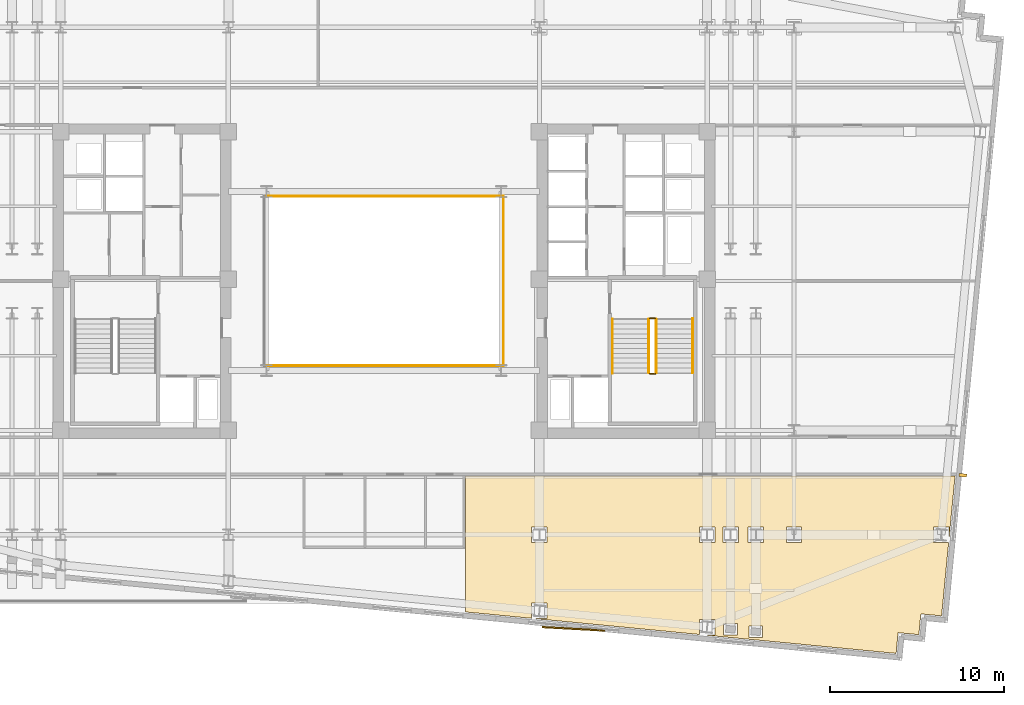
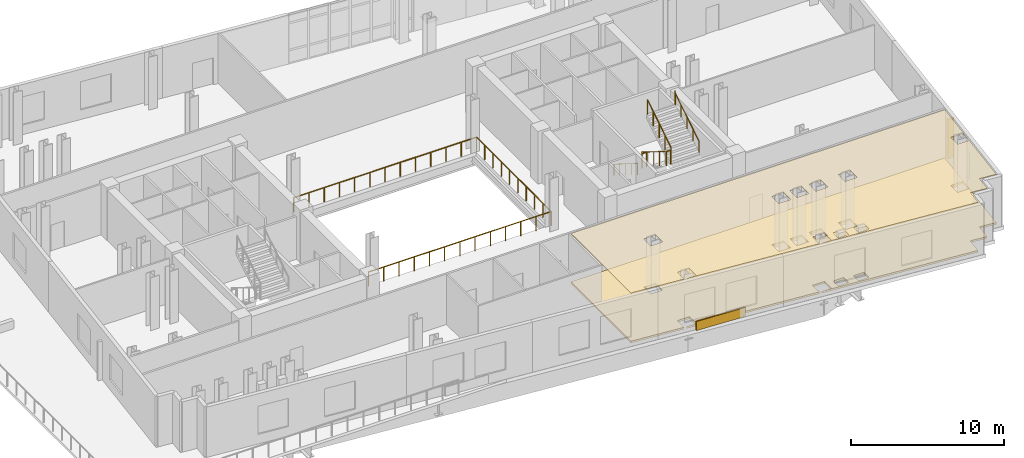
# One storey, part 10 of 11: 9 railings, 3 coverings, 1 shading device.
"""IFC4 building model written with IfcOpenShell, lengths in metres."""

from ifc_helpers import new_model, si_unit, direction, frame, origin, origin_2d, place, context, subcontext, project, spatial, polyline, rectangle, circle, outline, extrude, material, layer, layer_set, type_object, element, save


model = new_model("IFC4")

# Units and contexts
model_context = context("Model", 3, precision=1e-05, world=origin(), true_north=direction((0.0, 1.0)))
body_context = subcontext(model_context, "Body", "Model", "MODEL_VIEW")
ifc_project = project(units=[si_unit("LENGTHUNIT", "METRE"), si_unit("AREAUNIT", "SQUARE_METRE"), si_unit("VOLUMEUNIT", "CUBIC_METRE"), si_unit("PLANEANGLEUNIT", "RADIAN"), si_unit("MASSUNIT", "GRAM", prefix="KILO")], contexts=[model_context])

# Site, building, storey
site_placement = place(None, origin())
site = spatial("IfcSite", under=ifc_project, at=site_placement, CompositionType="ELEMENT")
building_placement = place(site_placement, origin())
building = spatial("IfcBuilding", under=site, at=building_placement, Name="Velakula Bourse", CompositionType="ELEMENT")
storey_placement = place(building_placement, frame((0.0, 0.0, 156.199951171875)))
storey = spatial("IfcBuildingStorey", under=building, at=storey_placement, Name="L42", CompositionType="ELEMENT", Elevation=156.199951171875)

# Coverings
ifc_material_1 = material(Name="Buff kilned clay facing brick masonry", Category="masonry")
ifc_layer_1 = layer(ifc_material_1, 0.074951171875, Name="Buff kilned clay facing brick masonry", Category="masonry")
ifc_layer_set_1 = layer_set([ifc_layer_1], Name="Buff kilned clay facing brick masonry")
covering_type_1 = type_object("IfcCoveringType", Name="COV-BRK-SPN-75", PredefinedType="CLADDING", material=ifc_layer_set_1)
covering_1_placement = place(storey_placement, frame((10.905029296875, -20.013671875, 0.0), z_axis=(0.0, 0.0, 1.0), x_axis=(0.998489097451, -0.054950179912, 0.0)))
element("IfcCovering", 1, at=covering_1_placement, inside=storey, type_object=covering_type_1, Name="L42 Folded Brick Facade Cladding Panel S-B4", PredefinedType="CLADDING", context=body_context, shape_type="SweptSolid", body=[
    extrude(rectangle(XDim=3.60009765625, YDim=0.090087890625, at=origin_2d()), origin(), (0.0, 0.0, 1.0), 0.719970703125),
])
ifc_material_2 = material(Name="Mineral-fibre acoustic suspended ceiling tile", Category="mineral")
ifc_layer_2 = layer(ifc_material_2, 0.0400390625, Name="Mineral-fibre acoustic suspended ceiling tile", Category="mineral")
ifc_layer_set_2 = layer_set([ifc_layer_2], Name="Mineral-fibre acoustic suspended ceiling tile")
covering_type_2 = type_object("IfcCoveringType", Name="COV-CEIL-AC-40", PredefinedType="CEILING", material=ifc_layer_set_2)
covering_2_placement = place(storey_placement, frame((0.0, 0.0, 3.949951171875)))
element("IfcCovering", 2, at=covering_2_placement, inside=storey, type_object=covering_type_2, Name="L42 Legal Counsel Office Acoustic Suspended Ceiling", PredefinedType="CEILING", context=body_context, shape_type="SweptSolid", body=[
    extrude(outline(polyline([(32.867919921875, -11.22998046875), (32.51611328125, -14.88232421875), (32.51611328125, -14.155029296875), (31.626220703125, -14.155029296875), (31.626220703125, -15.044921875), (32.50048828125, -15.044921875), (32.093505859375, -19.27099609375), (30.899169921875, -19.156005859375), (30.7841796875, -20.3505859375), (29.589599609375, -20.235595703125), (29.474609375, -21.429931640625), (18.3173828125, -20.355712890625), (19.044921875, -20.355712890625), (19.044921875, -19.465576171875), (18.155029296875, -19.465576171875), (18.155029296875, -20.340087890625), (8.66845703125, -19.426513671875), (9.39501953125, -19.426513671875), (9.39501953125, -18.53662109375), (8.5048828125, -18.53662109375), (8.5048828125, -19.410888671875), (4.699951171875, -19.04443359375), (4.699951171875, -11.22998046875), (32.867919921875, -11.22998046875)]), holes=[polyline([(18.155029296875, -15.044921875), (19.044921875, -15.044921875), (19.044921875, -14.155029296875), (18.155029296875, -14.155029296875), (18.155029296875, -15.044921875)]), polyline([(8.5048828125, -15.044921875), (9.39501953125, -15.044921875), (9.39501953125, -14.155029296875), (8.5048828125, -14.155029296875), (8.5048828125, -15.044921875)]), polyline([(21.0048828125, -20.500244140625), (21.794921875, -20.500244140625), (21.794921875, -19.8603515625), (21.0048828125, -19.8603515625), (21.0048828125, -20.500244140625)]), polyline([(19.554931640625, -20.360595703125), (20.344970703125, -20.360595703125), (20.344970703125, -19.720703125), (19.554931640625, -19.720703125), (19.554931640625, -20.360595703125)]), polyline([(19.5048828125, -14.155029296875), (19.5048828125, -15.044921875), (20.39501953125, -15.044921875), (20.39501953125, -14.155029296875), (19.5048828125, -14.155029296875)]), polyline([(23.155029296875, -15.044921875), (24.044921875, -15.044921875), (24.044921875, -14.155029296875), (23.155029296875, -14.155029296875), (23.155029296875, -15.044921875)]), polyline([(20.955078125, -15.044921875), (21.844970703125, -15.044921875), (21.844970703125, -14.155029296875), (20.955078125, -14.155029296875), (20.955078125, -15.044921875)])]), origin(), (0.0, 0.0, 1.0), 0.0400390625),
])
ifc_material_3 = material(Name="Calcium-sulphate antistatic raised access flooring", Category="gypsum")
ifc_layer_3 = layer(ifc_material_3, 0.14990234375, Name="Calcium-sulphate antistatic raised access flooring", Category="gypsum")
ifc_layer_set_3 = layer_set([ifc_layer_3], Name="Calcium-sulphate antistatic raised access flooring")
covering_type_3 = type_object("IfcCoveringType", Name="COV-FLR-RAISED-150", PredefinedType="FLOORING", material=ifc_layer_set_3)
covering_3_placement = place(storey_placement, origin())
element("IfcCovering", 3, at=covering_3_placement, inside=storey, type_object=covering_type_3, Name="L42 Legal Counsel Office Raised Trading Access Floor", PredefinedType="FLOORING", context=body_context, shape_type="SweptSolid", body=[
    extrude(outline(polyline([(32.867919921875, -11.22998046875), (32.51611328125, -14.88232421875), (32.51611328125, -14.155029296875), (31.626220703125, -14.155029296875), (31.626220703125, -15.044921875), (32.50048828125, -15.044921875), (32.093505859375, -19.27099609375), (30.899169921875, -19.156005859375), (30.7841796875, -20.3505859375), (29.589599609375, -20.235595703125), (29.474609375, -21.429931640625), (18.3173828125, -20.355712890625), (19.044921875, -20.355712890625), (19.044921875, -19.465576171875), (18.155029296875, -19.465576171875), (18.155029296875, -20.340087890625), (8.66845703125, -19.426513671875), (9.39501953125, -19.426513671875), (9.39501953125, -18.53662109375), (8.5048828125, -18.53662109375), (8.5048828125, -19.410888671875), (4.699951171875, -19.04443359375), (4.699951171875, -11.22998046875), (32.867919921875, -11.22998046875)]), holes=[polyline([(18.155029296875, -15.044921875), (19.044921875, -15.044921875), (19.044921875, -14.155029296875), (18.155029296875, -14.155029296875), (18.155029296875, -15.044921875)]), polyline([(8.5048828125, -15.044921875), (9.39501953125, -15.044921875), (9.39501953125, -14.155029296875), (8.5048828125, -14.155029296875), (8.5048828125, -15.044921875)]), polyline([(21.0048828125, -20.500244140625), (21.794921875, -20.500244140625), (21.794921875, -19.8603515625), (21.0048828125, -19.8603515625), (21.0048828125, -20.500244140625)]), polyline([(19.554931640625, -20.360595703125), (20.344970703125, -20.360595703125), (20.344970703125, -19.720703125), (19.554931640625, -19.720703125), (19.554931640625, -20.360595703125)]), polyline([(19.5048828125, -14.155029296875), (19.5048828125, -15.044921875), (20.39501953125, -15.044921875), (20.39501953125, -14.155029296875), (19.5048828125, -14.155029296875)]), polyline([(23.155029296875, -15.044921875), (24.044921875, -15.044921875), (24.044921875, -14.155029296875), (23.155029296875, -14.155029296875), (23.155029296875, -15.044921875)]), polyline([(20.955078125, -15.044921875), (21.844970703125, -15.044921875), (21.844970703125, -14.155029296875), (20.955078125, -14.155029296875), (20.955078125, -15.044921875)])]), origin(), (0.0, 0.0, 1.0), 0.150146484375),
])

# Railings
ifc_material_4 = material(Name="Brushed grade 316 stainless steel", Category="steel")
railing_type_1 = type_object("IfcRailingType", Name="RLG-ATRIUM-1150", PredefinedType="BALUSTRADE", material=ifc_material_4)
railing_1_placement = place(storey_placement, frame((-6.8798828125, -4.8798828125, 0.0)))
element("IfcRailing", 4, at=railing_1_placement, inside=storey, type_object=railing_type_1, Name="L42 Central Trading Atrium Balustrade S", PredefinedType="BALUSTRADE", context=body_context, shape_type="SweptSolid", body=[
    extrude(circle(Radius=0.02392578125, at=origin_2d()), frame((0.0, 0.0, 1.1259765625), z_axis=(1.0, 0.0, 0.0), x_axis=(0.0, 1.0, 0.0)), (0.0, 0.0, 1.0), 13.759765625),
    extrude(circle(Radius=0.02099609375, at=origin_2d()), origin(), (0.0, 0.0, 1.0), 1.101806640625),
    extrude(circle(Radius=0.02099609375, at=origin_2d()), frame((1.146728515625, 0.0, 0.0)), (0.0, 0.0, 1.0), 1.101806640625),
    extrude(circle(Radius=0.02099609375, at=origin_2d()), frame((2.293212890625, 0.0, 0.0)), (0.0, 0.0, 1.0), 1.101806640625),
    extrude(circle(Radius=0.02099609375, at=origin_2d()), frame((3.43994140625, 0.0, 0.0)), (0.0, 0.0, 1.0), 1.101806640625),
    extrude(circle(Radius=0.02099609375, at=origin_2d()), frame((4.586669921875, 0.0, 0.0)), (0.0, 0.0, 1.0), 1.101806640625),
    extrude(circle(Radius=0.02099609375, at=origin_2d()), frame((5.733154296875, 0.0, 0.0)), (0.0, 0.0, 1.0), 1.101806640625),
    extrude(circle(Radius=0.02099609375, at=origin_2d()), frame((6.8798828125, 0.0, 0.0)), (0.0, 0.0, 1.0), 1.101806640625),
    extrude(circle(Radius=0.02099609375, at=origin_2d()), frame((8.026611328125, 0.0, 0.0)), (0.0, 0.0, 1.0), 1.101806640625),
    extrude(circle(Radius=0.02099609375, at=origin_2d()), frame((9.173095703125, 0.0, 0.0)), (0.0, 0.0, 1.0), 1.101806640625),
    extrude(circle(Radius=0.02099609375, at=origin_2d()), frame((10.31982421875, 0.0, 0.0)), (0.0, 0.0, 1.0), 1.101806640625),
    extrude(circle(Radius=0.02099609375, at=origin_2d()), frame((11.466552734375, 0.0, 0.0)), (0.0, 0.0, 1.0), 1.101806640625),
    extrude(circle(Radius=0.02099609375, at=origin_2d()), frame((12.613037109375, 0.0, 0.0)), (0.0, 0.0, 1.0), 1.101806640625),
    extrude(circle(Radius=0.02099609375, at=origin_2d()), frame((13.759765625, 0.0, 0.0)), (0.0, 0.0, 1.0), 1.101806640625),
])
railing_2_placement = place(storey_placement, frame((6.8798828125, -4.8798828125, 0.0)))
element("IfcRailing", 5, at=railing_2_placement, inside=storey, type_object=railing_type_1, Name="L42 Central Trading Atrium Balustrade E", PredefinedType="BALUSTRADE", context=body_context, shape_type="SweptSolid", body=[
    extrude(circle(Radius=0.02392578125, at=origin_2d()), frame((0.0, 0.0, 1.1259765625), z_axis=(0.0, 1.0, 0.0), x_axis=(-1.0, 0.0, 0.0)), (0.0, 0.0, 1.0), 9.759765625),
    extrude(circle(Radius=0.02099609375, at=origin_2d()), origin(), (0.0, 0.0, 1.0), 1.101806640625),
    extrude(circle(Radius=0.02099609375, at=origin_2d()), frame((0.0, 1.08447265625, 0.0)), (0.0, 0.0, 1.0), 1.101806640625),
    extrude(circle(Radius=0.02099609375, at=origin_2d()), frame((0.0, 2.1689453125, 0.0)), (0.0, 0.0, 1.0), 1.101806640625),
    extrude(circle(Radius=0.02099609375, at=origin_2d()), frame((0.0, 3.253173828125, 0.0)), (0.0, 0.0, 1.0), 1.101806640625),
    extrude(circle(Radius=0.02099609375, at=origin_2d()), frame((0.0, 4.337646484375, 0.0)), (0.0, 0.0, 1.0), 1.101806640625),
    extrude(circle(Radius=0.02099609375, at=origin_2d()), frame((0.0, 5.422119140625, 0.0)), (0.0, 0.0, 1.0), 1.101806640625),
    extrude(circle(Radius=0.02099609375, at=origin_2d()), frame((0.0, 6.506591796875, 0.0)), (0.0, 0.0, 1.0), 1.101806640625),
    extrude(circle(Radius=0.02099609375, at=origin_2d()), frame((0.0, 7.5908203125, 0.0)), (0.0, 0.0, 1.0), 1.101806640625),
    extrude(circle(Radius=0.02099609375, at=origin_2d()), frame((0.0, 8.67529296875, 0.0)), (0.0, 0.0, 1.0), 1.101806640625),
    extrude(circle(Radius=0.02099609375, at=origin_2d()), frame((0.0, 9.759765625, 0.0)), (0.0, 0.0, 1.0), 1.101806640625),
])
railing_3_placement = place(storey_placement, frame((6.8798828125, 4.8798828125, 0.0)))
element("IfcRailing", 6, at=railing_3_placement, inside=storey, type_object=railing_type_1, Name="L42 Central Trading Atrium Balustrade N", PredefinedType="BALUSTRADE", context=body_context, shape_type="SweptSolid", body=[
    extrude(circle(Radius=0.02392578125, at=origin_2d()), frame((0.0, 0.0, 1.1259765625), z_axis=(-1.0, 0.0, 0.0), x_axis=(0.0, -1.0, 0.0)), (0.0, 0.0, 1.0), 13.759765625),
    extrude(circle(Radius=0.02099609375, at=origin_2d()), origin(), (0.0, 0.0, 1.0), 1.101806640625),
    extrude(circle(Radius=0.02099609375, at=origin_2d()), frame((-1.146728515625, 0.0, 0.0)), (0.0, 0.0, 1.0), 1.101806640625),
    extrude(circle(Radius=0.02099609375, at=origin_2d()), frame((-2.293212890625, 0.0, 0.0)), (0.0, 0.0, 1.0), 1.101806640625),
    extrude(circle(Radius=0.02099609375, at=origin_2d()), frame((-3.43994140625, 0.0, 0.0)), (0.0, 0.0, 1.0), 1.101806640625),
    extrude(circle(Radius=0.02099609375, at=origin_2d()), frame((-4.586669921875, 0.0, 0.0)), (0.0, 0.0, 1.0), 1.101806640625),
    extrude(circle(Radius=0.02099609375, at=origin_2d()), frame((-5.733154296875, 0.0, 0.0)), (0.0, 0.0, 1.0), 1.101806640625),
    extrude(circle(Radius=0.02099609375, at=origin_2d()), frame((-6.8798828125, 0.0, 0.0)), (0.0, 0.0, 1.0), 1.101806640625),
    extrude(circle(Radius=0.02099609375, at=origin_2d()), frame((-8.026611328125, 0.0, 0.0)), (0.0, 0.0, 1.0), 1.101806640625),
    extrude(circle(Radius=0.02099609375, at=origin_2d()), frame((-9.173095703125, 0.0, 0.0)), (0.0, 0.0, 1.0), 1.101806640625),
    extrude(circle(Radius=0.02099609375, at=origin_2d()), frame((-10.31982421875, 0.0, 0.0)), (0.0, 0.0, 1.0), 1.101806640625),
    extrude(circle(Radius=0.02099609375, at=origin_2d()), frame((-11.466552734375, 0.0, 0.0)), (0.0, 0.0, 1.0), 1.101806640625),
    extrude(circle(Radius=0.02099609375, at=origin_2d()), frame((-12.613037109375, 0.0, 0.0)), (0.0, 0.0, 1.0), 1.101806640625),
    extrude(circle(Radius=0.02099609375, at=origin_2d()), frame((-13.759765625, 0.0, 0.0)), (0.0, 0.0, 1.0), 1.101806640625),
])
railing_type_2 = type_object("IfcRailingType", Name="RLG-STAIR-GUARD-1150", PredefinedType="BALUSTRADE", material=ifc_material_4)
railing_4_placement = place(storey_placement, frame((15.248046875, -2.199951171875, 0.175048828125)))
element("IfcRailing", 7, at=railing_4_placement, inside=storey, type_object=railing_type_2, Name="L42 ST-E1 stair guard 1", PredefinedType="BALUSTRADE", context=body_context, shape_type="SweptSolid", body=[
    extrude(circle(Radius=0.02490234375, at=origin_2d()), frame((0.0, 0.0, 1.125), z_axis=(0.0, -0.847998304005, 0.529998940003), x_axis=(1.0, 0.0, 0.0)), (0.0, 0.0, 1.0), 3.632080078125),
    extrude(circle(Radius=0.02099609375, at=origin_2d()), origin(), (0.0, 0.0, 1.0), 1.099853515625),
    extrude(circle(Radius=0.02099609375, at=origin_2d()), frame((0.0, -0.77001953125, 0.481201171875)), (0.0, 0.0, 1.0), 1.099853515625),
    extrude(circle(Radius=0.02099609375, at=origin_2d()), frame((0.0, -1.5400390625, 0.96240234375)), (0.0, 0.0, 1.0), 1.099853515625),
    extrude(circle(Radius=0.02099609375, at=origin_2d()), frame((0.0, -2.31005859375, 1.44384765625)), (0.0, 0.0, 1.0), 1.099853515625),
    extrude(circle(Radius=0.02099609375, at=origin_2d()), frame((0.0, -3.080078125, 1.925048828125)), (0.0, 0.0, 1.0), 1.099853515625),
])
railing_5_placement = place(storey_placement, frame((15.298095703125, -5.330078125, 2.10009765625)))
element("IfcRailing", 8, at=railing_5_placement, inside=storey, type_object=railing_type_2, Name="L42 ST-E1 stair guard 2", PredefinedType="BALUSTRADE", context=body_context, shape_type="SweptSolid", body=[
    extrude(circle(Radius=0.02490234375, at=origin_2d()), frame((0.0, 0.0, 1.125), z_axis=(1.0, 0.0, 0.0), x_axis=(0.0, 1.0, 0.0)), (0.0, 0.0, 1.0), 0.323974609375),
    extrude(circle(Radius=0.02099609375, at=origin_2d()), origin(), (0.0, 0.0, 1.0), 1.099853515625),
    extrude(circle(Radius=0.02099609375, at=origin_2d()), frame((0.323974609375, 0.0, 0.0)), (0.0, 0.0, 1.0), 1.099853515625),
])
railing_6_placement = place(storey_placement, frame((15.672119140625, -5.280029296875, 2.275146484375)))
element("IfcRailing", 9, at=railing_6_placement, inside=storey, type_object=railing_type_2, Name="L42 ST-E1 stair guard 3", PredefinedType="BALUSTRADE", context=body_context, shape_type="SweptSolid", body=[
    extrude(circle(Radius=0.02490234375, at=origin_2d()), frame((0.0, 0.0, 1.125), z_axis=(0.0, 0.848028513186, 0.529950602248), x_axis=(-1.0, 0.0, 0.0)), (0.0, 0.0, 1.0), 3.632080078125),
    extrude(circle(Radius=0.02099609375, at=origin_2d()), origin(), (0.0, 0.0, 1.0), 1.099853515625),
    extrude(circle(Radius=0.02099609375, at=origin_2d()), frame((0.0, 0.77001953125, 0.481201171875)), (0.0, 0.0, 1.0), 1.099853515625),
    extrude(circle(Radius=0.02099609375, at=origin_2d()), frame((0.0, 1.5400390625, 0.96240234375)), (0.0, 0.0, 1.0), 1.099853515625),
    extrude(circle(Radius=0.02099609375, at=origin_2d()), frame((0.0, 2.31005859375, 1.443603515625)), (0.0, 0.0, 1.0), 1.099853515625),
    extrude(circle(Radius=0.02099609375, at=origin_2d()), frame((0.0, 3.080078125, 1.9248046875)), (0.0, 0.0, 1.0), 1.099853515625),
])
railing_7_placement = place(storey_placement, frame((15.298095703125, -2.14990234375, 0.0)))
element("IfcRailing", 10, at=railing_7_placement, inside=storey, type_object=railing_type_2, Name="L42 ST-E1 stair guard 4", PredefinedType="BALUSTRADE", context=body_context, shape_type="SweptSolid", body=[
    extrude(circle(Radius=0.02490234375, at=origin_2d()), frame((0.0, 0.0, 1.125), z_axis=(1.0, 0.0, 0.0), x_axis=(0.0, 1.0, 0.0)), (0.0, 0.0, 1.0), 0.323974609375),
    extrude(circle(Radius=0.02099609375, at=origin_2d()), origin(), (0.0, 0.0, 1.0), 1.099853515625),
    extrude(circle(Radius=0.02099609375, at=origin_2d()), frame((0.323974609375, 0.0, 0.0)), (0.0, 0.0, 1.0), 1.099853515625),
])
railing_type_3 = type_object("IfcRailingType", Name="RLG-STAIR-HAND-920", PredefinedType="HANDRAIL", material=ifc_material_4)
railing_8_placement = place(storey_placement, frame((13.14990234375, -2.199951171875, 0.175048828125)))
element("IfcRailing", 11, at=railing_8_placement, inside=storey, type_object=railing_type_3, Name="L42 ST-E1 stair handrail 1", PredefinedType="HANDRAIL", context=body_context, shape_type="SweptSolid", body=[
    extrude(circle(Radius=0.02099609375, at=origin_2d()), frame((0.0, 0.0, 0.89892578125), z_axis=(0.0, -0.847998304005, 0.529998940003), x_axis=(1.0, 0.0, 0.0)), (0.0, 0.0, 1.0), 3.632080078125),
    extrude(circle(Radius=0.02099609375, at=origin_2d()), frame((0.0, -3.080078125, 2.823974609375), z_axis=(0.0, -0.222972465624, 0.974824743004), x_axis=(1.0, 0.0, 0.0)), (0.0, 0.0, 1.0), 0.1796875),
    extrude(circle(Radius=0.02099609375, at=origin_2d()), frame((0.0, -3.1201171875, 2.9990234375), z_axis=(0.0, -1.0, 0.0), x_axis=(1.0, 0.0, 0.0)), (0.0, 0.0, 1.0), 0.0048828125),
    extrude(circle(Radius=0.02099609375, at=origin_2d()), origin(), (0.0, 0.0, 1.0), 0.8779296875),
    extrude(circle(Radius=0.02099609375, at=origin_2d()), frame((0.0, -0.77001953125, 0.481201171875)), (0.0, 0.0, 1.0), 0.8779296875),
    extrude(circle(Radius=0.02099609375, at=origin_2d()), frame((0.0, -1.5400390625, 0.96240234375)), (0.0, 0.0, 1.0), 0.8779296875),
    extrude(circle(Radius=0.02099609375, at=origin_2d()), frame((0.0, -2.31005859375, 1.44384765625)), (0.0, 0.0, 1.0), 0.8779296875),
    extrude(circle(Radius=0.02099609375, at=origin_2d()), frame((0.0, -3.080078125, 1.925048828125)), (0.0, 0.0, 1.0), 0.8779296875),
    extrude(circle(Radius=0.02099609375, at=origin_2d()), frame((0.0, -3.1201171875, 2.10009765625)), (0.0, 0.0, 1.0), 0.8779296875),
    extrude(circle(Radius=0.02099609375, at=origin_2d()), frame((0.0, -3.125, 2.10009765625)), (0.0, 0.0, 1.0), 0.8779296875),
])
railing_9_placement = place(storey_placement, frame((17.77001953125, -5.280029296875, 2.275146484375)))
element("IfcRailing", 12, at=railing_9_placement, inside=storey, type_object=railing_type_3, Name="L42 ST-E1 stair handrail 2", PredefinedType="HANDRAIL", context=body_context, shape_type="SweptSolid", body=[
    extrude(circle(Radius=0.02099609375, at=origin_2d()), frame((0.0, 0.0, 0.89892578125), z_axis=(0.0, 0.848028513186, 0.529950602248), x_axis=(-1.0, 0.0, 0.0)), (0.0, 0.0, 1.0), 3.632080078125),
    extrude(circle(Radius=0.02099609375, at=origin_2d()), frame((0.0, 3.080078125, 2.82373046875), z_axis=(0.0, 0.222972465624, 0.974824743004), x_axis=(-1.0, 0.0, 0.0)), (0.0, 0.0, 1.0), 0.1796875),
    extrude(circle(Radius=0.02099609375, at=origin_2d()), frame((0.0, 3.1201171875, 2.998779296875), z_axis=(0.0, 1.0, 0.0), x_axis=(-1.0, 0.0, 0.0)), (0.0, 0.0, 1.0), 0.0048828125),
    extrude(circle(Radius=0.02099609375, at=origin_2d()), origin(), (0.0, 0.0, 1.0), 0.8779296875),
    extrude(circle(Radius=0.02099609375, at=origin_2d()), frame((0.0, 0.77001953125, 0.481201171875)), (0.0, 0.0, 1.0), 0.8779296875),
    extrude(circle(Radius=0.02099609375, at=origin_2d()), frame((0.0, 1.5400390625, 0.96240234375)), (0.0, 0.0, 1.0), 0.8779296875),
    extrude(circle(Radius=0.02099609375, at=origin_2d()), frame((0.0, 2.31005859375, 1.443603515625)), (0.0, 0.0, 1.0), 0.8779296875),
    extrude(circle(Radius=0.02099609375, at=origin_2d()), frame((0.0, 3.080078125, 1.9248046875)), (0.0, 0.0, 1.0), 0.8779296875),
    extrude(circle(Radius=0.02099609375, at=origin_2d()), frame((0.0, 3.1201171875, 2.099853515625)), (0.0, 0.0, 1.0), 0.8779296875),
    extrude(circle(Radius=0.02099609375, at=origin_2d()), frame((0.0, 3.125, 2.099853515625)), (0.0, 0.0, 1.0), 0.8779296875),
])

# Shading device
ifc_material_5 = material(Name="Anodised bronze architectural aluminium", Category="aluminium")
shading_device_type = type_object("IfcShadingDeviceType", Name="SHD-FIN-450", PredefinedType="USERDEFINED", material=ifc_material_5)
shading_device_placement = place(storey_placement, frame((33.315185546875, -11.17578125, 0.0), z_axis=(0.0, 0.0, 1.0), x_axis=(0.995396198367, -0.09584575252, 0.0)))
element("IfcShadingDevice", 13, at=shading_device_placement, inside=storey, type_object=shading_device_type, Name="L42 Vertical Bronze Solar Shading Fin E", ObjectType="FIN", PredefinedType="USERDEFINED", context=body_context, shape_type="SweptSolid", body=[
    extrude(rectangle(XDim=0.449951171875, YDim=0.179931640625, at=origin_2d()), origin(), (0.0, 0.0, 1.0), 3.10009765625),
])

save(model, "model.ifc")
